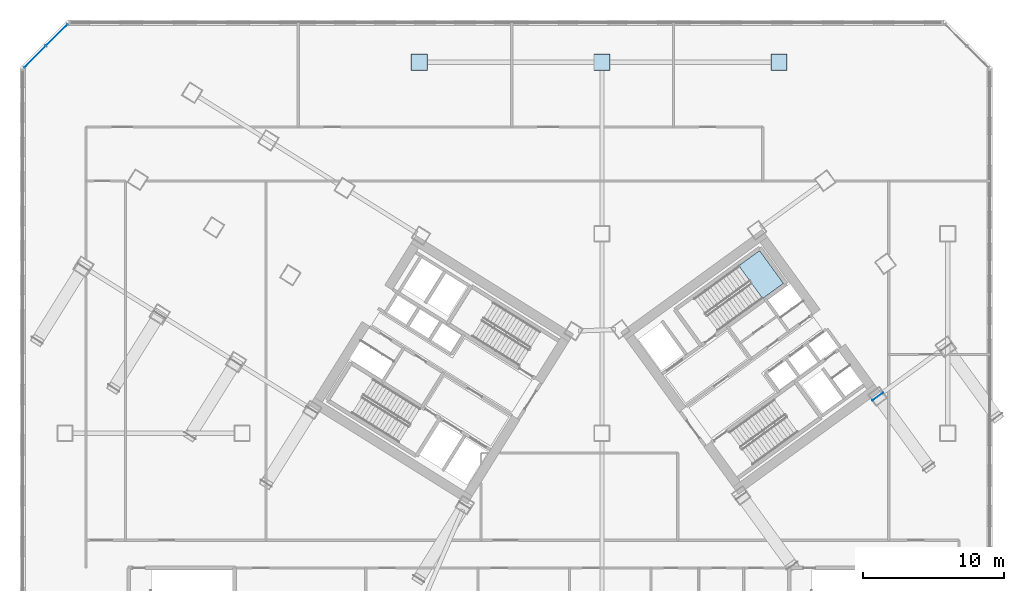
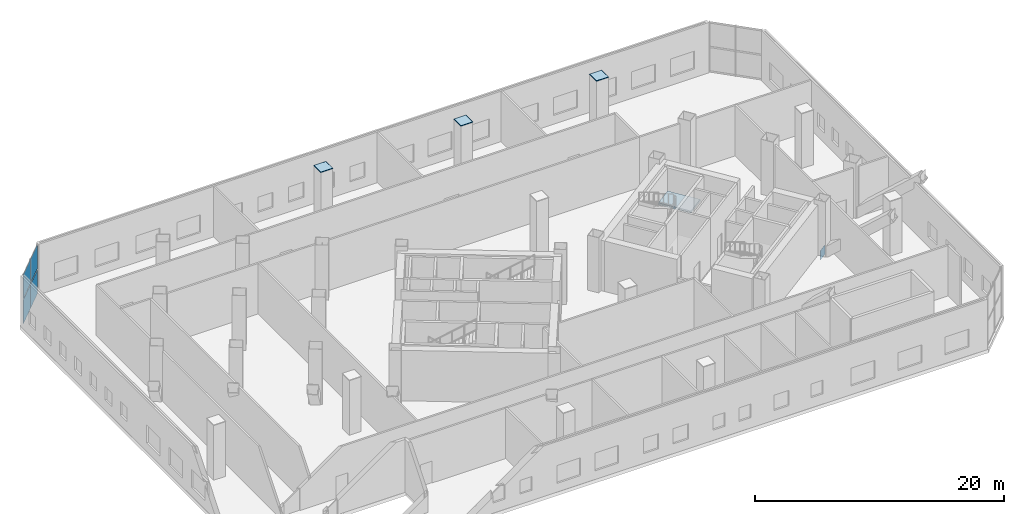
# One storey, part 11 of 23: 11 plates, 1 slab, 2 elements without a shape of their own.
"""IFC4 building model written with IfcOpenShell, lengths in metres."""

from ifc_helpers import new_model, si_unit, direction, frame, origin, origin_2d, place, context, subcontext, project, spatial, polyline, rectangle, outline, extrude, source, transform, mapped, material, layer, layer_set, type_object, element, aggregate, save


model = new_model("IFC4")

# Units and contexts
model_context = context("Model", 3, precision=1e-05, world=origin(), true_north=direction((0.0, 1.0)))
body_context = subcontext(model_context, "Body", "Model", "MODEL_VIEW")
ifc_project = project(units=[si_unit("LENGTHUNIT", "METRE"), si_unit("AREAUNIT", "SQUARE_METRE"), si_unit("VOLUMEUNIT", "CUBIC_METRE"), si_unit("PLANEANGLEUNIT", "RADIAN"), si_unit("MASSUNIT", "GRAM", prefix="KILO")], contexts=[model_context])

# Site, building, storey
site_placement = place(None, origin())
site = spatial("IfcSite", under=ifc_project, at=site_placement, CompositionType="ELEMENT")
building_placement = place(site_placement, origin())
building = spatial("IfcBuilding", under=site, at=building_placement, Name="Tlacorven Tower", CompositionType="ELEMENT")
storey_placement = place(building_placement, frame((0.0, 0.0, 18.60009765625)))
storey = spatial("IfcBuildingStorey", under=building, at=storey_placement, Name="L04", CompositionType="ELEMENT", Elevation=18.60009765625)

# Stair, slab
ifc_material_1 = material(Name="Concrete C40/50", Category="concrete")
stair_type = type_object("IfcStairType", Name="ST-CORE-DLG", PredefinedType="HALF_TURN_STAIR", material=ifc_material_1)
stair_placement = place(storey_placement, origin())
stair = element("IfcStair", 1, at=stair_placement, inside=storey, type_object=stair_type, Name="L04 Protected Exit Stair East 1", PredefinedType="HALF_TURN_STAIR")
ifc_layer_1 = layer(ifc_material_1, 0.199951171875)
ifc_layer_set_1 = layer_set([ifc_layer_1], Name="Concrete C40/50")
slab_type = type_object("IfcSlabType", Name="SL-LND-200", PredefinedType="LANDING", material=ifc_layer_set_1)
slab_placement = place(storey_placement, frame((0.0, 0.0, 2.5)))
slab = element("IfcSlab", 2, at=slab_placement, type_object=slab_type, Name="ST-E1 landing 1", PredefinedType="LANDING", context=body_context, shape_type="SweptSolid", body=[
    extrude(outline(polyline([(54.230224609375, 26.785888671875), (55.7109375, 27.861572265625), (54.01806640625, 30.19140625), (52.53759765625, 29.11572265625), (54.230224609375, 26.785888671875)])), origin(), (0.0, 0.0, 1.0), 0.199951171875),
])
aggregate(stair, [slab])

# Plates
ifc_material_2 = material(Name="Steel S460M", Category="steel")
ifc_layer_2 = layer(ifc_material_2, 0.02001953125)
ifc_layer_set_2 = layer_set([ifc_layer_2], Name="Steel S460M")
plate_type_1 = type_object("IfcPlateType", Name="PL-CAP-END2", PredefinedType="USERDEFINED", material=ifc_layer_set_2)
shared_shape_1 = source(origin(), body_context, "Body", "SweptSolid", [
    extrude(rectangle(XDim=0.02001953125, YDim=0.929931640625, at=origin_2d()), origin(), (0.0, 0.0, 1.0), 0.929931640625),
])
plate_1_placement = place(storey_placement, frame((62.427001953125, 19.80859375, -0.4453125), z_axis=(0.0, 0.0, 1.0), x_axis=(0.587785288157, -0.809016968318, 0.0)))
element("IfcPlate", 3, at=plate_1_placement, inside=storey, type_object=plate_type_1, Name="L04 hollow end cap plate RAK-L04-E3 1", ObjectType="END PLATE", PredefinedType="USERDEFINED", context=body_context, shape_type="MappedRepresentation", body=[
    mapped(shared_shape_1, transform((0.0, 0.0, 0.0), scale=1.0)),
])
shared_shape_2 = source(origin(), body_context, "Body", "SweptSolid", [
    extrude(rectangle(XDim=1.159912109375, YDim=1.159912109375, at=origin_2d()), origin(), (0.0, 0.0, 1.0), 0.02001953125),
])
for number, where, z_axis, x_axis, name in (
    (4, (29.800048828125, 43.60009765625, 5.3798828125), (0.0, 0.0, 1.0), (1.0, 0.0, 0.0), "L04 Box Column Top Cap Plate COL-L04-P04"),
    (5, (42.800048828125, 43.60009765625, 5.3798828125), (0.0, 0.0, 1.0), (1.0, 0.0, 0.0), "L04 Box Column Top Cap Plate COL-L04-P08"),
    (6, (55.39990234375, 43.60009765625, 5.3798828125), (0.0, 0.0, 1.0), (1.0, 0.0, 0.0), "L04 Box Column Top Cap Plate COL-L04-P09"),
):
    element("IfcPlate", number, at=place(storey_placement, frame(where, z_axis=z_axis, x_axis=x_axis)), inside=storey, type_object=plate_type_1, Name=name, ObjectType="END PLATE", PredefinedType="USERDEFINED", context=body_context, shape_type="MappedRepresentation", body=[
        mapped(shared_shape_2, transform((0.0, 0.0, 0.0), scale=1.0)),
    ])
ifc_layer_3 = layer(ifc_material_2, 0.02392578125)
ifc_layer_set_3 = layer_set([ifc_layer_3], Name="Steel S460M")
plate_type_2 = type_object("IfcPlateType", Name="PL-CAP-END1", PredefinedType="USERDEFINED", material=ifc_layer_set_3)
shared_shape_3 = source(origin(), body_context, "Body", "SweptSolid", [
    extrude(rectangle(XDim=1.10009765625, YDim=1.10009765625, at=origin_2d()), origin(), (0.0, 0.0, 1.0), 0.02392578125),
])
for number, where, z_axis, x_axis, name in (
    (7, (29.800048828125, 43.60009765625, 5.39794921875), (0.0, 0.0, 1.0), (1.0, 0.0, 0.0), "L04 Hollow Column Top Cap Plate COL-L04-P04"),
    (8, (42.800048828125, 43.60009765625, 5.39794921875), (0.0, 0.0, 1.0), (1.0, 0.0, 0.0), "L04 Hollow Column Top Cap Plate COL-L04-P08"),
    (9, (55.39990234375, 43.60009765625, 5.39794921875), (0.0, 0.0, 1.0), (1.0, 0.0, 0.0), "L04 Hollow Column Top Cap Plate COL-L04-P09"),
):
    element("IfcPlate", number, at=place(storey_placement, frame(where, z_axis=z_axis, x_axis=x_axis)), inside=storey, type_object=plate_type_2, Name=name, ObjectType="END PLATE", PredefinedType="USERDEFINED", context=body_context, shape_type="MappedRepresentation", body=[
        mapped(shared_shape_3, transform((0.0, 0.0, 0.0), scale=1.0)),
    ])

# Curtain wall, plates
ifc_material_3 = material(Name="Dark solar low-E double glazing in aluminium frame", Category="aluminium")
curtain_wall_type = type_object("IfcCurtainWallType", Name="CW-POD-CLINIC", PredefinedType="USERDEFINED", material=ifc_material_3)
curtain_wall_placement = place(storey_placement, origin())
curtain_wall = element("IfcCurtainWall", 10, at=curtain_wall_placement, inside=storey, type_object=curtain_wall_type, Name="L04 Podium Chamfer Curtain Wall 3", ObjectType="UNITISED CURTAIN WALL", PredefinedType="USERDEFINED")
ifc_material_4 = material(Name="Dark solar double low-E glazing", Category="glass")
ifc_layer_4 = layer(ifc_material_4, 0.031982421875)
ifc_layer_set_4 = layer_set([ifc_layer_4], Name="Dark solar double low-E glazing")
plate_type_3 = type_object("IfcPlateType", Name="CWP-02", PredefinedType="CURTAIN_PANEL", material=ifc_layer_set_4)
shared_shape_4 = source(origin(), body_context, "Body", "SweptSolid", [
    extrude(rectangle(XDim=2.141845703125, YDim=0.031982421875, at=origin_2d()), origin(), (0.0, 0.0, 1.0), 2.35302734375),
])
plate_2_placement = place(storey_placement, frame((2.467529296875, 43.984619140625, 0.060791015625), z_axis=(0.0, 0.0, 1.0), x_axis=(0.707106781187, 0.707106781187, 0.0)))
plate_2 = element("IfcPlate", 11, at=plate_2_placement, type_object=plate_type_3, Name="CW-L04-018 Glazing Panel 1", PredefinedType="CURTAIN_PANEL", context=body_context, shape_type="MappedRepresentation", body=[
    mapped(shared_shape_4, transform((0.0, 0.0, 0.0), scale=1.0)),
])
plate_3_placement = place(storey_placement, frame((2.467529296875, 43.984619140625, 2.535888671875), z_axis=(0.0, 0.0, 1.0), x_axis=(0.707106781187, 0.707106781187, 0.0)))
plate_3 = element("IfcPlate", 12, at=plate_3_placement, type_object=plate_type_3, Name="CW-L04-018 Glazing Panel 2", PredefinedType="CURTAIN_PANEL", context=body_context, shape_type="MappedRepresentation", body=[
    mapped(shared_shape_4, transform((0.0, 0.0, 0.0), scale=1.0)),
])
plate_4_placement = place(storey_placement, frame((4.015380859375, 45.532470703125, 0.060791015625), z_axis=(0.0, 0.0, 1.0), x_axis=(0.707106781187, 0.707106781187, 0.0)))
plate_4 = element("IfcPlate", 13, at=plate_4_placement, type_object=plate_type_3, Name="CW-L04-018 Glazing Panel 3", PredefinedType="CURTAIN_PANEL", context=body_context, shape_type="MappedRepresentation", body=[
    mapped(shared_shape_4, transform((0.0, 0.0, 0.0), scale=1.0)),
])
plate_5_placement = place(storey_placement, frame((4.015380859375, 45.532470703125, 2.535888671875), z_axis=(0.0, 0.0, 1.0), x_axis=(0.707106781187, 0.707106781187, 0.0)))
plate_5 = element("IfcPlate", 14, at=plate_5_placement, type_object=plate_type_3, Name="CW-L04-018 Glazing Panel 4", PredefinedType="CURTAIN_PANEL", context=body_context, shape_type="MappedRepresentation", body=[
    mapped(shared_shape_4, transform((0.0, 0.0, 0.0), scale=1.0)),
])
aggregate(curtain_wall, [plate_2, plate_3, plate_4, plate_5])

save(model, "model.ifc")
